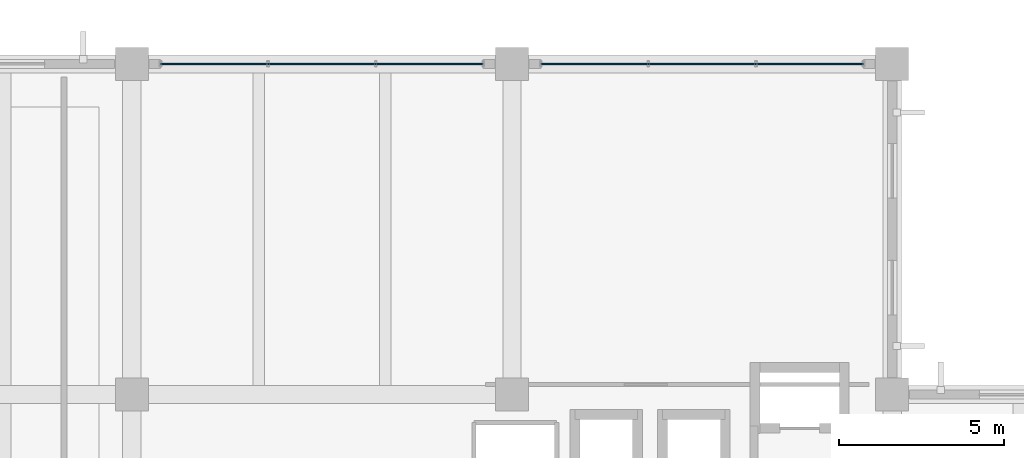
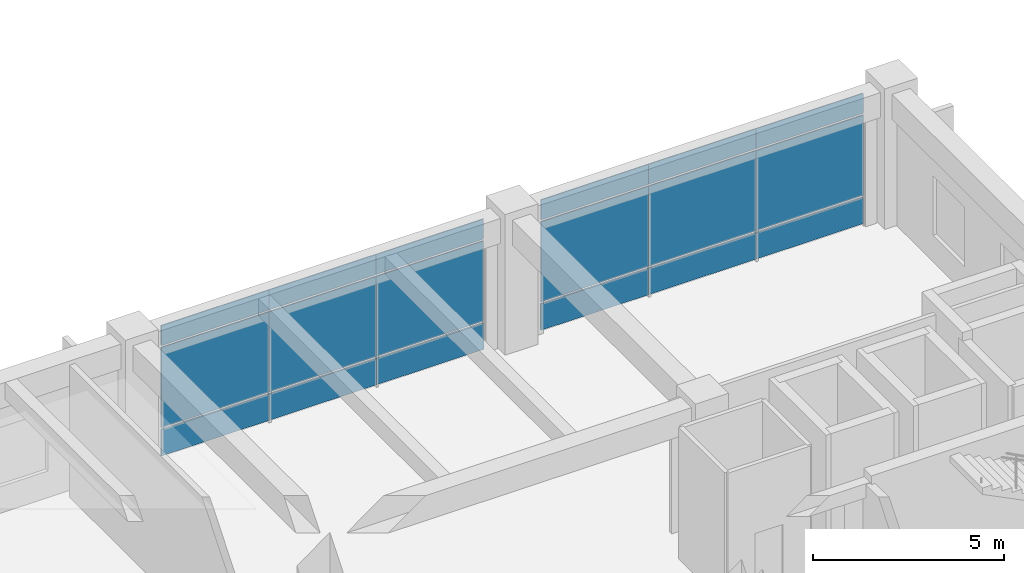
# One storey, part 134 of 154: 18 plates, 2 elements without a shape of their own.
"""IFC4 building model written with IfcOpenShell, lengths in metres."""

from ifc_helpers import new_model, si_unit, direction, frame, origin, origin_2d, place, context, subcontext, project, spatial, rectangle, extrude, material, layer, layer_set, type_object, element, aggregate, save


model = new_model("IFC4")

# Units and contexts
model_context = context("Model", 3, precision=1e-05, world=origin(), true_north=direction((0.0, 1.0)))
body_context = subcontext(model_context, "Body", "Model", "MODEL_VIEW")
ifc_project = project(units=[si_unit("LENGTHUNIT", "METRE"), si_unit("AREAUNIT", "SQUARE_METRE"), si_unit("VOLUMEUNIT", "CUBIC_METRE"), si_unit("PLANEANGLEUNIT", "RADIAN"), si_unit("MASSUNIT", "GRAM", prefix="KILO")], contexts=[model_context])

# Site, building, storey
site_placement = place(None, origin())
site = spatial("IfcSite", under=ifc_project, at=site_placement, CompositionType="ELEMENT")
building_placement = place(site_placement, origin())
building = spatial("IfcBuilding", under=site, at=building_placement, Name="Ologun Quay Terminus", CompositionType="ELEMENT")
storey_placement = place(building_placement, frame((0.0, 0.0, 13.800048828125)))
storey = spatial("IfcBuildingStorey", under=building, at=storey_placement, Name="L03", CompositionType="ELEMENT", Elevation=13.800048828125)

# Curtain wall, plates
ifc_material_1 = material(Name="Aluminium 6063-T6", Category="aluminium")
curtain_wall_type = type_object("IfcCurtainWallType", Name="Waterfront Pavilion Harbour Curtain Wall L03 10600x4150", PredefinedType="USERDEFINED", material=ifc_material_1)
curtain_wall_1_placement = place(storey_placement, origin())
curtain_wall_1 = element("IfcCurtainWall", 1, at=curtain_wall_1_placement, inside=storey, type_object=curtain_wall_type, Name="CW-25 Curtain Wall CW-L03-140", ObjectType="UNITISED CURTAIN WALL", PredefinedType="USERDEFINED")
ifc_material_2 = material(Name="Glass", Category="glass")
ifc_layer_1 = layer(ifc_material_2, 0.031982421875)
ifc_layer_set_1 = layer_set([ifc_layer_1], Name="Glass")
plate_type_1 = type_object("IfcPlateType", Name="Acoustic Low-E Laminated Glazed Panel 32", PredefinedType="CURTAIN_PANEL", material=ifc_layer_set_1)
plate_1_placement = place(storey_placement, frame((128.99658203125, 114.800048828125, 0.9296875), z_axis=(0.0, 0.0, 1.0), x_axis=(1.0, 0.0, 0.0)))
plate_1 = element("IfcPlate", 2, at=plate_1_placement, type_object=plate_type_1, Name="CW-L03-140 Panel B1-2", PredefinedType="CURTAIN_PANEL", context=body_context, shape_type="SweptSolid", body=[
    extrude(rectangle(XDim=3.25341796875, YDim=0.031982421875, at=origin_2d()), origin(), (0.0, 0.0, 1.0), 2.570068359375),
])
plate_2_placement = place(storey_placement, frame((128.99658203125, 114.800048828125, 3.56005859375), z_axis=(0.0, 0.0, 1.0), x_axis=(1.0, 0.0, 0.0)))
plate_2 = element("IfcPlate", 3, at=plate_2_placement, type_object=plate_type_1, Name="CW-L03-140 Panel B1-3", PredefinedType="CURTAIN_PANEL", context=body_context, shape_type="SweptSolid", body=[
    extrude(rectangle(XDim=3.25341796875, YDim=0.031982421875, at=origin_2d()), origin(), (0.0, 0.0, 1.0), 0.639892578125),
])
plate_3_placement = place(storey_placement, frame((132.25, 114.800048828125, 0.9296875), z_axis=(0.0, 0.0, 1.0), x_axis=(1.0, 0.0, 0.0)))
plate_3 = element("IfcPlate", 4, at=plate_3_placement, type_object=plate_type_1, Name="CW-L03-140 Panel B2-2", PredefinedType="CURTAIN_PANEL", context=body_context, shape_type="SweptSolid", body=[
    extrude(rectangle(XDim=3.25341796875, YDim=0.031982421875, at=origin_2d()), origin(), (0.0, 0.0, 1.0), 2.570068359375),
])
plate_4_placement = place(storey_placement, frame((132.25, 114.800048828125, 3.56005859375), z_axis=(0.0, 0.0, 1.0), x_axis=(1.0, 0.0, 0.0)))
plate_4 = element("IfcPlate", 5, at=plate_4_placement, type_object=plate_type_1, Name="CW-L03-140 Panel B2-3", PredefinedType="CURTAIN_PANEL", context=body_context, shape_type="SweptSolid", body=[
    extrude(rectangle(XDim=3.25341796875, YDim=0.031982421875, at=origin_2d()), origin(), (0.0, 0.0, 1.0), 0.639892578125),
])
plate_5_placement = place(storey_placement, frame((135.50341796875, 114.800048828125, 0.9296875), z_axis=(0.0, 0.0, 1.0), x_axis=(1.0, 0.0, 0.0)))
plate_5 = element("IfcPlate", 6, at=plate_5_placement, type_object=plate_type_1, Name="CW-L03-140 Panel B3-2", PredefinedType="CURTAIN_PANEL", context=body_context, shape_type="SweptSolid", body=[
    extrude(rectangle(XDim=3.25341796875, YDim=0.031982421875, at=origin_2d()), origin(), (0.0, 0.0, 1.0), 2.570068359375),
])
plate_6_placement = place(storey_placement, frame((135.50341796875, 114.800048828125, 3.56005859375), z_axis=(0.0, 0.0, 1.0), x_axis=(1.0, 0.0, 0.0)))
plate_6 = element("IfcPlate", 7, at=plate_6_placement, type_object=plate_type_1, Name="CW-L03-140 Panel B3-3", PredefinedType="CURTAIN_PANEL", context=body_context, shape_type="SweptSolid", body=[
    extrude(rectangle(XDim=3.25341796875, YDim=0.031982421875, at=origin_2d()), origin(), (0.0, 0.0, 1.0), 0.639892578125),
])

curtain_wall_2_placement = place(storey_placement, origin())
curtain_wall_2 = element("IfcCurtainWall", 8, at=curtain_wall_2_placement, inside=storey, type_object=curtain_wall_type, Name="CW-25 Curtain Wall CW-L03-141", ObjectType="UNITISED CURTAIN WALL", PredefinedType="USERDEFINED")
plate_7_placement = place(storey_placement, frame((140.49658203125, 114.800048828125, 0.9296875), z_axis=(0.0, 0.0, 1.0), x_axis=(1.0, 0.0, 0.0)))
plate_7 = element("IfcPlate", 9, at=plate_7_placement, type_object=plate_type_1, Name="CW-L03-141 Panel B1-2", PredefinedType="CURTAIN_PANEL", context=body_context, shape_type="SweptSolid", body=[
    extrude(rectangle(XDim=3.25341796875, YDim=0.031982421875, at=origin_2d()), origin(), (0.0, 0.0, 1.0), 2.570068359375),
])
plate_8_placement = place(storey_placement, frame((140.49658203125, 114.800048828125, 3.56005859375), z_axis=(0.0, 0.0, 1.0), x_axis=(1.0, 0.0, 0.0)))
plate_8 = element("IfcPlate", 10, at=plate_8_placement, type_object=plate_type_1, Name="CW-L03-141 Panel B1-3", PredefinedType="CURTAIN_PANEL", context=body_context, shape_type="SweptSolid", body=[
    extrude(rectangle(XDim=3.25341796875, YDim=0.031982421875, at=origin_2d()), origin(), (0.0, 0.0, 1.0), 0.639892578125),
])
plate_9_placement = place(storey_placement, frame((143.75, 114.800048828125, 0.9296875), z_axis=(0.0, 0.0, 1.0), x_axis=(1.0, 0.0, 0.0)))
plate_9 = element("IfcPlate", 11, at=plate_9_placement, type_object=plate_type_1, Name="CW-L03-141 Panel B2-2", PredefinedType="CURTAIN_PANEL", context=body_context, shape_type="SweptSolid", body=[
    extrude(rectangle(XDim=3.25341796875, YDim=0.031982421875, at=origin_2d()), origin(), (0.0, 0.0, 1.0), 2.570068359375),
])
plate_10_placement = place(storey_placement, frame((143.75, 114.800048828125, 3.56005859375), z_axis=(0.0, 0.0, 1.0), x_axis=(1.0, 0.0, 0.0)))
plate_10 = element("IfcPlate", 12, at=plate_10_placement, type_object=plate_type_1, Name="CW-L03-141 Panel B2-3", PredefinedType="CURTAIN_PANEL", context=body_context, shape_type="SweptSolid", body=[
    extrude(rectangle(XDim=3.25341796875, YDim=0.031982421875, at=origin_2d()), origin(), (0.0, 0.0, 1.0), 0.639892578125),
])
plate_11_placement = place(storey_placement, frame((147.00341796875, 114.800048828125, 0.9296875), z_axis=(0.0, 0.0, 1.0), x_axis=(1.0, 0.0, 0.0)))
plate_11 = element("IfcPlate", 13, at=plate_11_placement, type_object=plate_type_1, Name="CW-L03-141 Panel B3-2", PredefinedType="CURTAIN_PANEL", context=body_context, shape_type="SweptSolid", body=[
    extrude(rectangle(XDim=3.25341796875, YDim=0.031982421875, at=origin_2d()), origin(), (0.0, 0.0, 1.0), 2.570068359375),
])
plate_12_placement = place(storey_placement, frame((147.00341796875, 114.800048828125, 3.56005859375), z_axis=(0.0, 0.0, 1.0), x_axis=(1.0, 0.0, 0.0)))
plate_12 = element("IfcPlate", 14, at=plate_12_placement, type_object=plate_type_1, Name="CW-L03-141 Panel B3-3", PredefinedType="CURTAIN_PANEL", context=body_context, shape_type="SweptSolid", body=[
    extrude(rectangle(XDim=3.25341796875, YDim=0.031982421875, at=origin_2d()), origin(), (0.0, 0.0, 1.0), 0.639892578125),
])

# Plate
ifc_material_3 = material(Name="Aluminium 6063-T6", Category="aluminium")
ifc_layer_2 = layer(ifc_material_3, 0.050048828125)
ifc_layer_set_2 = layer_set([ifc_layer_2], Name="Aluminium 6063-T6")
plate_type_2 = type_object("IfcPlateType", Name="Insulated Aluminium Shadow-Box Spandrel 50", PredefinedType="CURTAIN_PANEL", material=ifc_layer_set_2)
plate_13_placement = place(storey_placement, frame((128.99658203125, 114.800048828125, 0.02978515625), z_axis=(0.0, 0.0, 1.0), x_axis=(1.0, 0.0, 0.0)))
plate_13 = element("IfcPlate", 15, at=plate_13_placement, type_object=plate_type_2, Name="CW-L03-140 Panel B1-1", PredefinedType="CURTAIN_PANEL", context=body_context, shape_type="SweptSolid", body=[
    extrude(rectangle(XDim=3.25341796875, YDim=0.050048828125, at=origin_2d()), origin(), (0.0, 0.0, 1.0), 0.840087890625),
])

plate_14_placement = place(storey_placement, frame((132.25, 114.800048828125, 0.02978515625), z_axis=(0.0, 0.0, 1.0), x_axis=(1.0, 0.0, 0.0)))
plate_14 = element("IfcPlate", 16, at=plate_14_placement, type_object=plate_type_2, Name="CW-L03-140 Panel B2-1", PredefinedType="CURTAIN_PANEL", context=body_context, shape_type="SweptSolid", body=[
    extrude(rectangle(XDim=3.25341796875, YDim=0.050048828125, at=origin_2d()), origin(), (0.0, 0.0, 1.0), 0.840087890625),
])

plate_15_placement = place(storey_placement, frame((135.50341796875, 114.800048828125, 0.02978515625), z_axis=(0.0, 0.0, 1.0), x_axis=(1.0, 0.0, 0.0)))
plate_15 = element("IfcPlate", 17, at=plate_15_placement, type_object=plate_type_2, Name="CW-L03-140 Panel B3-1", PredefinedType="CURTAIN_PANEL", context=body_context, shape_type="SweptSolid", body=[
    extrude(rectangle(XDim=3.25341796875, YDim=0.050048828125, at=origin_2d()), origin(), (0.0, 0.0, 1.0), 0.840087890625),
])

aggregate(curtain_wall_1, [plate_13, plate_1, plate_2, plate_14, plate_3, plate_4, plate_15, plate_5, plate_6])

plate_16_placement = place(storey_placement, frame((140.49658203125, 114.800048828125, 0.02978515625), z_axis=(0.0, 0.0, 1.0), x_axis=(1.0, 0.0, 0.0)))
plate_16 = element("IfcPlate", 18, at=plate_16_placement, type_object=plate_type_2, Name="CW-L03-141 Panel B1-1", PredefinedType="CURTAIN_PANEL", context=body_context, shape_type="SweptSolid", body=[
    extrude(rectangle(XDim=3.25341796875, YDim=0.050048828125, at=origin_2d()), origin(), (0.0, 0.0, 1.0), 0.840087890625),
])

plate_17_placement = place(storey_placement, frame((143.75, 114.800048828125, 0.02978515625), z_axis=(0.0, 0.0, 1.0), x_axis=(1.0, 0.0, 0.0)))
plate_17 = element("IfcPlate", 19, at=plate_17_placement, type_object=plate_type_2, Name="CW-L03-141 Panel B2-1", PredefinedType="CURTAIN_PANEL", context=body_context, shape_type="SweptSolid", body=[
    extrude(rectangle(XDim=3.25341796875, YDim=0.050048828125, at=origin_2d()), origin(), (0.0, 0.0, 1.0), 0.840087890625),
])

plate_18_placement = place(storey_placement, frame((147.00341796875, 114.800048828125, 0.02978515625), z_axis=(0.0, 0.0, 1.0), x_axis=(1.0, 0.0, 0.0)))
plate_18 = element("IfcPlate", 20, at=plate_18_placement, type_object=plate_type_2, Name="CW-L03-141 Panel B3-1", PredefinedType="CURTAIN_PANEL", context=body_context, shape_type="SweptSolid", body=[
    extrude(rectangle(XDim=3.25341796875, YDim=0.050048828125, at=origin_2d()), origin(), (0.0, 0.0, 1.0), 0.840087890625),
])

aggregate(curtain_wall_2, [plate_16, plate_7, plate_8, plate_17, plate_9, plate_10, plate_18, plate_11, plate_12])

save(model, "model.ifc")
